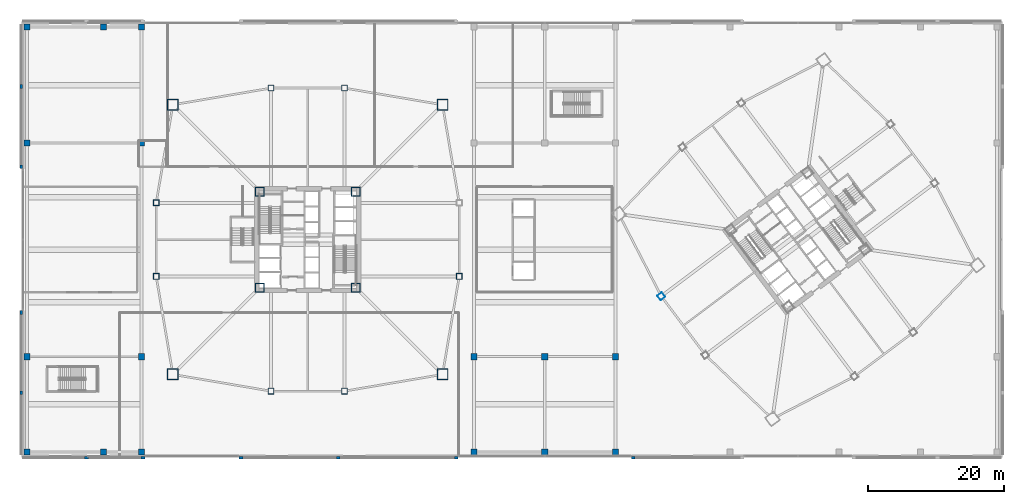
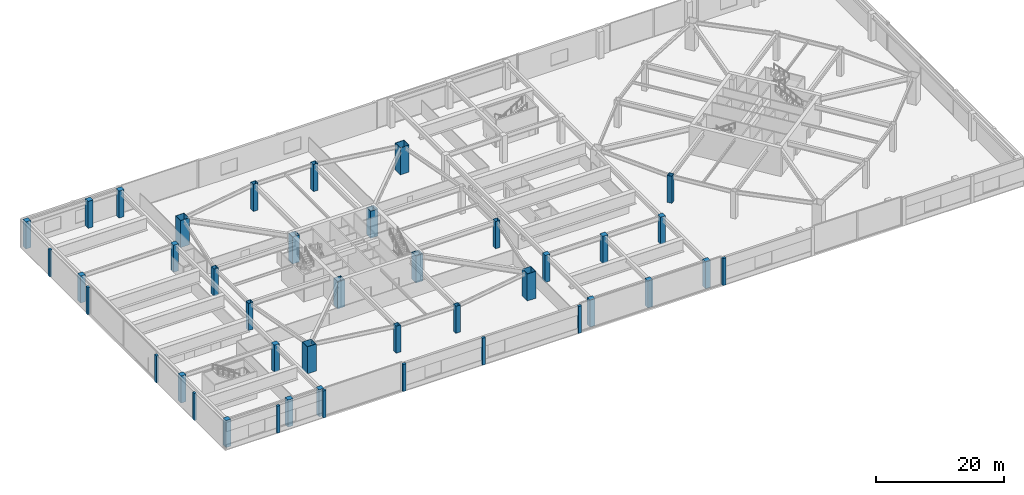
# One storey, part 1 of 48: 42 columns.
"""IFC4 building model written with IfcOpenShell, lengths in metres."""

from ifc_helpers import new_model, si_unit, direction, frame, origin, origin_2d, place, context, subcontext, project, spatial, rectangle, hollow_rectangle, extrude, material, material_profile, profile_set, type_object, element, save


model = new_model("IFC4")

# Units and contexts
model_context = context("Model", 3, precision=1e-05, world=origin(), true_north=direction((0.0, 1.0)))
body_context = subcontext(model_context, "Body", "Model", "MODEL_VIEW")
ifc_project = project(units=[si_unit("LENGTHUNIT", "METRE"), si_unit("AREAUNIT", "SQUARE_METRE"), si_unit("VOLUMEUNIT", "CUBIC_METRE"), si_unit("PLANEANGLEUNIT", "RADIAN"), si_unit("MASSUNIT", "GRAM", prefix="KILO")], contexts=[model_context])

# Site, building, storey
site_placement = place(None, origin())
site = spatial("IfcSite", under=ifc_project, at=site_placement, CompositionType="ELEMENT")
building_placement = place(site_placement, origin())
building = spatial("IfcBuilding", under=site, at=building_placement, Name="Tashvorn Skyway Center", CompositionType="ELEMENT")
storey_placement = place(building_placement, frame((0.0, 0.0, 10.199951171875)))
storey = spatial("IfcBuildingStorey", under=building, at=storey_placement, Name="L02", CompositionType="ELEMENT", Elevation=10.199951171875)

# Columns
ifc_material_1 = material(Name="Steel ASTM A572 Grade 50", Category="steel")
ifc_material_profile_1 = material_profile(ifc_material_1, hollow_rectangle(XDim=1.300048828125, YDim=1.300048828125, WallThickness=0.050048828125, at=origin_2d()), Name="BOX1300x1300x50")
ifc_profile_set_1 = profile_set([ifc_material_profile_1], Name="Steel ASTM A572 Grade 50")
column_type_1 = type_object("IfcColumnType", Name="COL-BOX1300x1300x50", PredefinedType="COLUMN", material=ifc_profile_set_1)
for number, where, z_axis, x_axis, name in (
    (1, (34.949951171875, 24.949951171875, 0.0), (0.0, 0.0, 1.0), (1.0, 0.0, 0.0), "Tower 1 L02 Core Corner Column CC-SW"),
    (2, (49.050048828125, 24.949951171875, 0.0), (0.0, 0.0, 1.0), (1.0, 0.0, 0.0), "Tower 1 L02 Core Corner Column CC-SE"),
    (3, (49.050048828125, 39.050048828125, 0.0), (0.0, 0.0, 1.0), (1.0, 0.0, 0.0), "Tower 1 L02 Core Corner Column CC-NE"),
    (4, (34.949951171875, 39.050048828125, 0.0), (0.0, 0.0, 1.0), (1.0, 0.0, 0.0), "Tower 1 L02 Core Corner Column CC-NW"),
):
    element("IfcColumn", number, at=place(storey_placement, frame(where, z_axis=z_axis, x_axis=x_axis)), inside=storey, type_object=column_type_1, Name=name, PredefinedType="COLUMN", context=body_context, shape_type="SweptSolid", body=[
        extrude(hollow_rectangle(XDim=1.300048828125, YDim=1.300048828125, WallThickness=0.050048828125, at=origin_2d()), origin(), (0.0, 0.0, 1.0), 5.14013671875),
    ])
ifc_material_profile_2 = material_profile(ifc_material_1, hollow_rectangle(XDim=1.60009765625, YDim=1.60009765625, WallThickness=0.06005859375, at=origin_2d()), Name="BOX1600x1600x60")
ifc_profile_set_2 = profile_set([ifc_material_profile_2], Name="Steel ASTM A572 Grade 50")
column_type_2 = type_object("IfcColumnType", Name="COL-BOX1600x1600x60", PredefinedType="COLUMN", material=ifc_profile_set_2)
for number, where, z_axis, x_axis, name in (
    (5, (22.199951171875, 12.199951171875, 0.0), (0.0, 0.0, 1.0), (1.0, 0.0, 0.0), "Tower 1 L02 Mega-Column MC-SW"),
    (6, (61.800048828125, 12.199951171875, 0.0), (0.0, 0.0, 1.0), (1.0, 0.0, 0.0), "Tower 1 L02 Mega-Column MC-SE"),
    (7, (61.800048828125, 51.800048828125, 0.0), (0.0, 0.0, 1.0), (1.0, 0.0, 0.0), "Tower 1 L02 Mega-Column MC-NE"),
    (8, (22.199951171875, 51.800048828125, 0.0), (0.0, 0.0, 1.0), (1.0, 0.0, 0.0), "Tower 1 L02 Mega-Column MC-NW"),
):
    element("IfcColumn", number, at=place(storey_placement, frame(where, z_axis=z_axis, x_axis=x_axis)), inside=storey, type_object=column_type_2, Name=name, PredefinedType="COLUMN", context=body_context, shape_type="SweptSolid", body=[
        extrude(hollow_rectangle(XDim=1.60009765625, YDim=1.60009765625, WallThickness=0.06005859375, at=origin_2d()), origin(), (0.0, 0.0, 1.0), 5.14013671875),
    ])
ifc_material_profile_3 = material_profile(ifc_material_1, hollow_rectangle(XDim=0.85009765625, YDim=0.85009765625, WallThickness=0.034912109375, at=origin_2d()), Name="BOX850x850x35")
ifc_profile_set_3 = profile_set([ifc_material_profile_3], Name="Steel ASTM A572 Grade 50")
column_type_3 = type_object("IfcColumnType", Name="COL-BOX850x850x35", PredefinedType="COLUMN", material=ifc_profile_set_3)
for number, where, z_axis, x_axis, name in (
    (9, (36.60009765625, 9.75, 0.0), (0.0, 0.0, 1.0), (1.0, 0.0, 0.0), "Tower 1 L02 Perimeter Column FC-S1"),
    (10, (47.39990234375, 9.75, 0.0), (0.0, 0.0, 1.0), (1.0, 0.0, 0.0), "Tower 1 L02 Perimeter Column FC-S2"),
    (11, (64.25, 26.60009765625, 0.0), (0.0, 0.0, 1.0), (1.0, 0.0, 0.0), "Tower 1 L02 Perimeter Column FC-E1"),
    (12, (47.39990234375, 54.25, 0.0), (0.0, 0.0, 1.0), (1.0, 0.0, 0.0), "Tower 1 L02 Perimeter Column FC-N1"),
    (13, (36.60009765625, 54.25, 0.0), (0.0, 0.0, 1.0), (1.0, 0.0, 0.0), "Tower 1 L02 Perimeter Column FC-N2"),
    (14, (19.75, 37.39990234375, 0.0), (0.0, 0.0, 1.0), (1.0, 0.0, 0.0), "Tower 1 L02 Perimeter Column FC-W1"),
    (15, (19.75, 26.60009765625, 0.0), (0.0, 0.0, 1.0), (1.0, 0.0, 0.0), "Tower 1 L02 Perimeter Column FC-W2"),
    (16, (93.919921875, 23.68994140625, 0.0), (0.0, 0.0, 1.0), (0.799999996291, 0.600000004945, 0.0), "Tower 2 L02 Perimeter Column FC-W1"),
):
    element("IfcColumn", number, at=place(storey_placement, frame(where, z_axis=z_axis, x_axis=x_axis)), inside=storey, type_object=column_type_3, Name=name, PredefinedType="COLUMN", context=body_context, shape_type="SweptSolid", body=[
        extrude(hollow_rectangle(XDim=0.85009765625, YDim=0.85009765625, WallThickness=0.034912109375, at=origin_2d()), origin(), (0.0, 0.0, 1.0), 5.14013671875),
    ])
ifc_material_2 = material(Name="Concrete C50/60", Category="concrete")
ifc_material_profile_4 = material_profile(ifc_material_2, rectangle(XDim=0.89990234375, YDim=0.89990234375, at=origin_2d()), Name="RC900x900")
ifc_profile_set_4 = profile_set([ifc_material_profile_4], Name="Concrete C50/60")
column_type_4 = type_object("IfcColumnType", Name="COL-RC900x900", PredefinedType="COLUMN", material=ifc_profile_set_4)
for number, where, z_axis, x_axis, name in (
    (17, (0.800048828125, 0.800048828125, 0.0), (0.0, 0.0, 1.0), (1.0, 0.0, 0.0), "L02 Podium Column PC-01-1"),
    (18, (0.800048828125, 63.199951171875, 0.0), (0.0, 0.0, 1.0), (1.0, 0.0, 0.0), "L02 Podium Column PC-01-2"),
    (19, (12.0, 0.800048828125, 0.0), (0.0, 0.0, 1.0), (1.0, 0.0, 0.0), "L02 Podium Column PC-02-1"),
    (20, (12.0, 63.199951171875, 0.0), (0.0, 0.0, 1.0), (1.0, 0.0, 0.0), "L02 Podium Column PC-02-2"),
    (21, (17.60009765625, 0.800048828125, 0.0), (0.0, 0.0, 1.0), (1.0, 0.0, 0.0), "L02 Podium Column PC-03-1"),
    (22, (17.60009765625, 63.199951171875, 0.0), (0.0, 0.0, 1.0), (1.0, 0.0, 0.0), "L02 Podium Column PC-03-2"),
    (23, (66.39990234375, 0.800048828125, 0.0), (0.0, 0.0, 1.0), (1.0, 0.0, 0.0), "L02 Podium Column PC-04-1"),
    (24, (76.800048828125, 0.800048828125, 0.0), (0.0, 0.0, 1.0), (1.0, 0.0, 0.0), "L02 Podium Column PC-05-1"),
    (25, (87.199951171875, 0.800048828125, 0.0), (0.0, 0.0, 1.0), (1.0, 0.0, 0.0), "L02 Podium Column PC-06-1"),
    (26, (0.800048828125, 14.800048828125, 0.0), (0.0, 0.0, 1.0), (1.0, 0.0, 0.0), "L02 Podium Column PIC-01-1"),
    (27, (0.800048828125, 46.199951171875, 0.0), (0.0, 0.0, 1.0), (1.0, 0.0, 0.0), "L02 Podium Column PIC-01-2"),
    (28, (17.60009765625, 14.800048828125, 0.0), (0.0, 0.0, 1.0), (1.0, 0.0, 0.0), "L02 Podium Column PIC-02-1"),
    (29, (17.60009765625, 46.199951171875, 0.0), (0.0, 0.0, 1.0), (1.0, 0.0, 0.0), "L02 Podium Column PIC-02-2"),
    (30, (66.39990234375, 14.800048828125, 0.0), (0.0, 0.0, 1.0), (1.0, 0.0, 0.0), "L02 Podium Column PIC-03-1"),
    (31, (76.800048828125, 14.800048828125, 0.0), (0.0, 0.0, 1.0), (1.0, 0.0, 0.0), "L02 Podium Column PIC-04-1"),
    (32, (87.199951171875, 14.800048828125, 0.0), (0.0, 0.0, 1.0), (1.0, 0.0, 0.0), "L02 Podium Column PIC-05-1"),
):
    element("IfcColumn", number, at=place(storey_placement, frame(where, z_axis=z_axis, x_axis=x_axis)), inside=storey, type_object=column_type_4, Name=name, PredefinedType="COLUMN", context=body_context, shape_type="SweptSolid", body=[
        extrude(rectangle(XDim=0.89990234375, YDim=0.89990234375, at=origin_2d()), origin(), (0.0, 0.0, 1.0), 5.14013671875),
    ])
ifc_material_3 = material(Name="Precast concrete C40/50", Category="concrete")
ifc_material_profile_5 = material_profile(ifc_material_3, rectangle(XDim=0.550048828125, YDim=0.39990234375, at=origin_2d()), Name="RCPIL550x400")
ifc_profile_set_5 = profile_set([ifc_material_profile_5], Name="Precast concrete C40/50")
column_type_5 = type_object("IfcColumnType", Name="PIL-RCPIL550x400", PredefinedType="PILASTER", material=ifc_profile_set_5)
for number, where, z_axis, x_axis, name in (
    (33, (9.5, -0.050048828125, 0.0), (0.0, 0.0, 1.0), (1.0, 0.0, 0.0), "L02 South Terracotta Colonnade Pilaster 1"),
    (34, (17.800048828125, -0.050048828125, 0.0), (0.0, 0.0, 1.0), (1.0, 0.0, 0.0), "L02 South Terracotta Colonnade Pilaster 2"),
    (35, (32.199951171875, -0.050048828125, 0.0), (0.0, 0.0, 1.0), (1.0, 0.0, 0.0), "L02 South Terracotta Colonnade Pilaster 3"),
    (36, (46.5, -0.050048828125, 0.0), (0.0, 0.0, 1.0), (1.0, 0.0, 0.0), "L02 South Terracotta Colonnade Pilaster 4"),
    (37, (63.800048828125, -0.050048828125, 0.0), (0.0, 0.0, 1.0), (1.0, 0.0, 0.0), "L02 South Terracotta Colonnade Pilaster 5"),
    (38, (89.800048828125, -0.050048828125, 0.0), (0.0, 0.0, 1.0), (1.0, 0.0, 0.0), "L02 South Terracotta Colonnade Pilaster 6"),
    (39, (-0.050048828125, 9.5, 0.0), (0.0, 0.0, 1.0), (0.0, 1.0, 0.0), "L02 West Terracotta Colonnade Pilaster 1"),
    (40, (-0.050048828125, 21.300048828125, 0.0), (0.0, 0.0, 1.0), (0.0, 1.0, 0.0), "L02 West Terracotta Colonnade Pilaster 2"),
    (41, (-0.050048828125, 42.699951171875, 0.0), (0.0, 0.0, 1.0), (0.0, 1.0, 0.0), "L02 West Terracotta Colonnade Pilaster 3"),
    (42, (-0.050048828125, 54.5, 0.0), (0.0, 0.0, 1.0), (0.0, 1.0, 0.0), "L02 West Terracotta Colonnade Pilaster 4"),
):
    element("IfcColumn", number, at=place(storey_placement, frame(where, z_axis=z_axis, x_axis=x_axis)), inside=storey, type_object=column_type_5, Name=name, PredefinedType="PILASTER", context=body_context, shape_type="SweptSolid", body=[
        extrude(rectangle(XDim=0.550048828125, YDim=0.39990234375, at=origin_2d()), origin(), (0.0, 0.0, 1.0), 5.14013671875),
    ])

save(model, "model.ifc")
